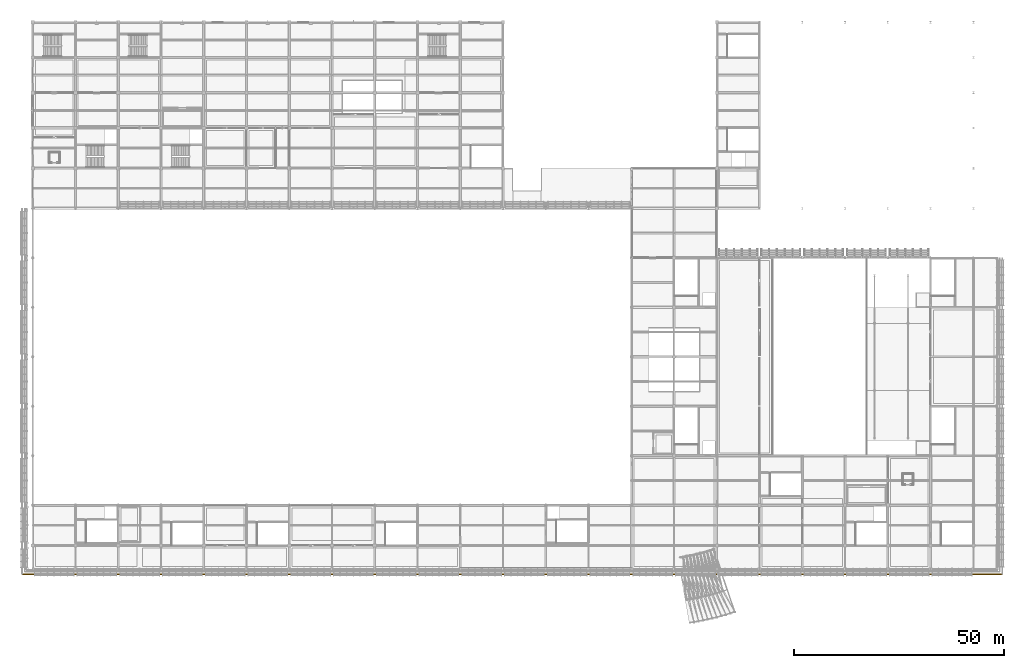
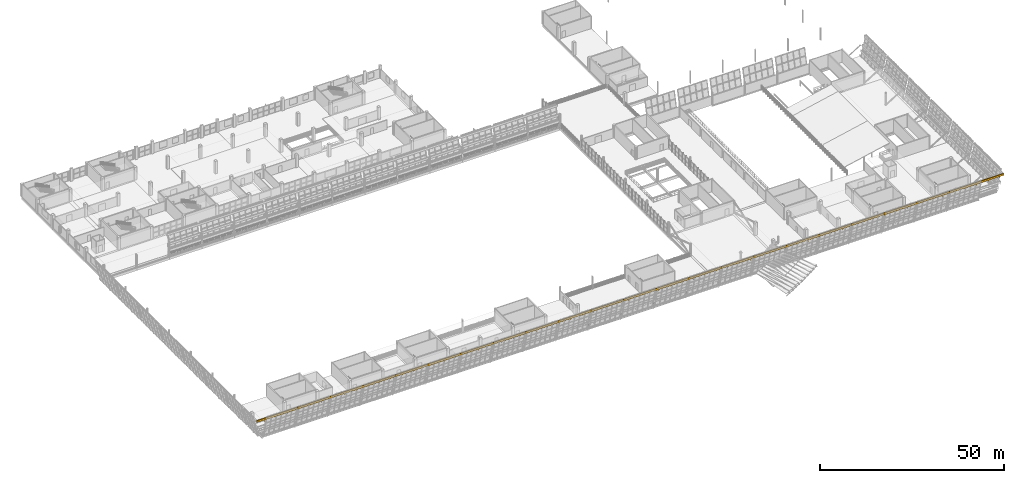
# One storey, part 145 of 157: 1 railing.
"""IFC4 building model written with IfcOpenShell, lengths in metres."""

from ifc_helpers import new_model, si_unit, direction, frame, origin, origin_2d, place, context, subcontext, project, spatial, rectangle, circle, extrude, material, type_object, element, save


model = new_model("IFC4")

# Units and contexts
model_context = context("Model", 3, precision=1e-05, world=origin(), true_north=direction((0.0, 1.0)))
body_context = subcontext(model_context, "Body", "Model", "MODEL_VIEW")
ifc_project = project(units=[si_unit("LENGTHUNIT", "METRE"), si_unit("AREAUNIT", "SQUARE_METRE"), si_unit("VOLUMEUNIT", "CUBIC_METRE"), si_unit("PLANEANGLEUNIT", "RADIAN"), si_unit("MASSUNIT", "GRAM", prefix="KILO")], contexts=[model_context])

# Site, building, storey
site_placement = place(None, origin())
site = spatial("IfcSite", under=ifc_project, at=site_placement, CompositionType="ELEMENT")
building_placement = place(site_placement, origin())
building = spatial("IfcBuilding", under=site, at=building_placement, Name="Brelvane Convention Centre", CompositionType="ELEMENT")
storey_placement = place(building_placement, frame((0.0, 0.0, 10.800048828125)))
storey = spatial("IfcBuildingStorey", under=building, at=storey_placement, Name="L02", CompositionType="ELEMENT", Elevation=10.800048828125)

# Railing
ifc_material = material(Name="Steel E350 (350 MPa)", Category="steel")
railing_type = type_object("IfcRailingType", Name="Railing BL-CU-1", PredefinedType="BALUSTRADE", material=ifc_material)
railing_placement = place(storey_placement, frame((-2.547119140625, 12.29296875, 5.39990234375)))
element("IfcRailing", 1, at=railing_placement, inside=storey, type_object=railing_type, Name="Railing BL-CU-1 L02-cu_hull_s_6", PredefinedType="BALUSTRADE", context=body_context, shape_type="SweptSolid", body=[
    extrude(rectangle(XDim=0.280029296875, YDim=0.6201171875, at=origin_2d()), frame((0.0, 0.0, 0.81005859375), z_axis=(1.0, 0.0, 0.0), x_axis=(0.0, 1.0, 0.0)), (0.0, 0.0, 1.0), 233.85400390625),
    extrude(circle(Radius=0.02099609375, at=origin_2d()), origin(), (0.0, 0.0, 1.0), 1.072021484375),
    extrude(circle(Radius=0.02099609375, at=origin_2d()), frame((1.19921875, 0.0, 0.0)), (0.0, 0.0, 1.0), 1.072021484375),
    extrude(circle(Radius=0.02099609375, at=origin_2d()), frame((2.3984375, 0.0, 0.0)), (0.0, 0.0, 1.0), 1.072021484375),
    extrude(circle(Radius=0.02099609375, at=origin_2d()), frame((3.59765625, 0.0, 0.0)), (0.0, 0.0, 1.0), 1.072021484375),
    extrude(circle(Radius=0.02099609375, at=origin_2d()), frame((4.797119140625, 0.0, 0.0)), (0.0, 0.0, 1.0), 1.072021484375),
    extrude(circle(Radius=0.02099609375, at=origin_2d()), frame((5.996337890625, 0.0, 0.0)), (0.0, 0.0, 1.0), 1.072021484375),
    extrude(circle(Radius=0.02099609375, at=origin_2d()), frame((7.195556640625, 0.0, 0.0)), (0.0, 0.0, 1.0), 1.072021484375),
    extrude(circle(Radius=0.02099609375, at=origin_2d()), frame((8.394775390625, 0.0, 0.0)), (0.0, 0.0, 1.0), 1.072021484375),
    extrude(circle(Radius=0.02099609375, at=origin_2d()), frame((9.593994140625, 0.0, 0.0)), (0.0, 0.0, 1.0), 1.072021484375),
    extrude(circle(Radius=0.02099609375, at=origin_2d()), frame((10.793212890625, 0.0, 0.0)), (0.0, 0.0, 1.0), 1.072021484375),
    extrude(circle(Radius=0.02099609375, at=origin_2d()), frame((11.992431640625, 0.0, 0.0)), (0.0, 0.0, 1.0), 1.072021484375),
    extrude(circle(Radius=0.02099609375, at=origin_2d()), frame((13.191650390625, 0.0, 0.0)), (0.0, 0.0, 1.0), 1.072021484375),
    extrude(circle(Radius=0.02099609375, at=origin_2d()), frame((14.39111328125, 0.0, 0.0)), (0.0, 0.0, 1.0), 1.072021484375),
    extrude(circle(Radius=0.02099609375, at=origin_2d()), frame((15.59033203125, 0.0, 0.0)), (0.0, 0.0, 1.0), 1.072021484375),
    extrude(circle(Radius=0.02099609375, at=origin_2d()), frame((16.78955078125, 0.0, 0.0)), (0.0, 0.0, 1.0), 1.072021484375),
    extrude(circle(Radius=0.02099609375, at=origin_2d()), frame((17.98876953125, 0.0, 0.0)), (0.0, 0.0, 1.0), 1.072021484375),
    extrude(circle(Radius=0.02099609375, at=origin_2d()), frame((19.18798828125, 0.0, 0.0)), (0.0, 0.0, 1.0), 1.072021484375),
    extrude(circle(Radius=0.02099609375, at=origin_2d()), frame((20.38720703125, 0.0, 0.0)), (0.0, 0.0, 1.0), 1.072021484375),
    extrude(circle(Radius=0.02099609375, at=origin_2d()), frame((21.58642578125, 0.0, 0.0)), (0.0, 0.0, 1.0), 1.072021484375),
    extrude(circle(Radius=0.02099609375, at=origin_2d()), frame((22.785888671875, 0.0, 0.0)), (0.0, 0.0, 1.0), 1.072021484375),
    extrude(circle(Radius=0.02099609375, at=origin_2d()), frame((23.985107421875, 0.0, 0.0)), (0.0, 0.0, 1.0), 1.072021484375),
    extrude(circle(Radius=0.02099609375, at=origin_2d()), frame((25.184326171875, 0.0, 0.0)), (0.0, 0.0, 1.0), 1.072021484375),
    extrude(circle(Radius=0.02099609375, at=origin_2d()), frame((26.383544921875, 0.0, 0.0)), (0.0, 0.0, 1.0), 1.072021484375),
    extrude(circle(Radius=0.02099609375, at=origin_2d()), frame((27.582763671875, 0.0, 0.0)), (0.0, 0.0, 1.0), 1.072021484375),
    extrude(circle(Radius=0.02099609375, at=origin_2d()), frame((28.781982421875, 0.0, 0.0)), (0.0, 0.0, 1.0), 1.072021484375),
    extrude(circle(Radius=0.02099609375, at=origin_2d()), frame((29.981201171875, 0.0, 0.0)), (0.0, 0.0, 1.0), 1.072021484375),
    extrude(circle(Radius=0.02099609375, at=origin_2d()), frame((31.180419921875, 0.0, 0.0)), (0.0, 0.0, 1.0), 1.072021484375),
    extrude(circle(Radius=0.02099609375, at=origin_2d()), frame((32.3798828125, 0.0, 0.0)), (0.0, 0.0, 1.0), 1.072021484375),
    extrude(circle(Radius=0.02099609375, at=origin_2d()), frame((33.5791015625, 0.0, 0.0)), (0.0, 0.0, 1.0), 1.072021484375),
    extrude(circle(Radius=0.02099609375, at=origin_2d()), frame((34.7783203125, 0.0, 0.0)), (0.0, 0.0, 1.0), 1.072021484375),
    extrude(circle(Radius=0.02099609375, at=origin_2d()), frame((35.9775390625, 0.0, 0.0)), (0.0, 0.0, 1.0), 1.072021484375),
    extrude(circle(Radius=0.02099609375, at=origin_2d()), frame((37.1767578125, 0.0, 0.0)), (0.0, 0.0, 1.0), 1.072021484375),
    extrude(circle(Radius=0.02099609375, at=origin_2d()), frame((38.3759765625, 0.0, 0.0)), (0.0, 0.0, 1.0), 1.072021484375),
    extrude(circle(Radius=0.02099609375, at=origin_2d()), frame((39.5751953125, 0.0, 0.0)), (0.0, 0.0, 1.0), 1.072021484375),
    extrude(circle(Radius=0.02099609375, at=origin_2d()), frame((40.774658203125, 0.0, 0.0)), (0.0, 0.0, 1.0), 1.072021484375),
    extrude(circle(Radius=0.02099609375, at=origin_2d()), frame((41.973876953125, 0.0, 0.0)), (0.0, 0.0, 1.0), 1.072021484375),
    extrude(circle(Radius=0.02099609375, at=origin_2d()), frame((43.173095703125, 0.0, 0.0)), (0.0, 0.0, 1.0), 1.072021484375),
    extrude(circle(Radius=0.02099609375, at=origin_2d()), frame((44.372314453125, 0.0, 0.0)), (0.0, 0.0, 1.0), 1.072021484375),
    extrude(circle(Radius=0.02099609375, at=origin_2d()), frame((45.571533203125, 0.0, 0.0)), (0.0, 0.0, 1.0), 1.072021484375),
    extrude(circle(Radius=0.02099609375, at=origin_2d()), frame((46.770751953125, 0.0, 0.0)), (0.0, 0.0, 1.0), 1.072021484375),
    extrude(circle(Radius=0.02099609375, at=origin_2d()), frame((47.969970703125, 0.0, 0.0)), (0.0, 0.0, 1.0), 1.072021484375),
    extrude(circle(Radius=0.02099609375, at=origin_2d()), frame((49.169189453125, 0.0, 0.0)), (0.0, 0.0, 1.0), 1.072021484375),
    extrude(circle(Radius=0.02099609375, at=origin_2d()), frame((50.36865234375, 0.0, 0.0)), (0.0, 0.0, 1.0), 1.072021484375),
    extrude(circle(Radius=0.02099609375, at=origin_2d()), frame((51.56787109375, 0.0, 0.0)), (0.0, 0.0, 1.0), 1.072021484375),
    extrude(circle(Radius=0.02099609375, at=origin_2d()), frame((52.76708984375, 0.0, 0.0)), (0.0, 0.0, 1.0), 1.072021484375),
    extrude(circle(Radius=0.02099609375, at=origin_2d()), frame((53.96630859375, 0.0, 0.0)), (0.0, 0.0, 1.0), 1.072021484375),
    extrude(circle(Radius=0.02099609375, at=origin_2d()), frame((55.16552734375, 0.0, 0.0)), (0.0, 0.0, 1.0), 1.072021484375),
    extrude(circle(Radius=0.02099609375, at=origin_2d()), frame((56.36474609375, 0.0, 0.0)), (0.0, 0.0, 1.0), 1.072021484375),
    extrude(circle(Radius=0.02099609375, at=origin_2d()), frame((57.56396484375, 0.0, 0.0)), (0.0, 0.0, 1.0), 1.072021484375),
    extrude(circle(Radius=0.02099609375, at=origin_2d()), frame((58.763427734375, 0.0, 0.0)), (0.0, 0.0, 1.0), 1.072021484375),
    extrude(circle(Radius=0.02099609375, at=origin_2d()), frame((59.962646484375, 0.0, 0.0)), (0.0, 0.0, 1.0), 1.072021484375),
    extrude(circle(Radius=0.02099609375, at=origin_2d()), frame((61.161865234375, 0.0, 0.0)), (0.0, 0.0, 1.0), 1.072021484375),
    extrude(circle(Radius=0.02099609375, at=origin_2d()), frame((62.361083984375, 0.0, 0.0)), (0.0, 0.0, 1.0), 1.072021484375),
    extrude(circle(Radius=0.02099609375, at=origin_2d()), frame((63.560302734375, 0.0, 0.0)), (0.0, 0.0, 1.0), 1.072021484375),
    extrude(circle(Radius=0.02099609375, at=origin_2d()), frame((64.759521484375, 0.0, 0.0)), (0.0, 0.0, 1.0), 1.072021484375),
    extrude(circle(Radius=0.02099609375, at=origin_2d()), frame((65.958740234375, 0.0, 0.0)), (0.0, 0.0, 1.0), 1.072021484375),
    extrude(circle(Radius=0.02099609375, at=origin_2d()), frame((67.157958984375, 0.0, 0.0)), (0.0, 0.0, 1.0), 1.072021484375),
    extrude(circle(Radius=0.02099609375, at=origin_2d()), frame((68.357421875, 0.0, 0.0)), (0.0, 0.0, 1.0), 1.072021484375),
    extrude(circle(Radius=0.02099609375, at=origin_2d()), frame((69.556640625, 0.0, 0.0)), (0.0, 0.0, 1.0), 1.072021484375),
    extrude(circle(Radius=0.02099609375, at=origin_2d()), frame((70.755859375, 0.0, 0.0)), (0.0, 0.0, 1.0), 1.072021484375),
    extrude(circle(Radius=0.02099609375, at=origin_2d()), frame((71.955078125, 0.0, 0.0)), (0.0, 0.0, 1.0), 1.072021484375),
    extrude(circle(Radius=0.02099609375, at=origin_2d()), frame((73.154296875, 0.0, 0.0)), (0.0, 0.0, 1.0), 1.072021484375),
    extrude(circle(Radius=0.02099609375, at=origin_2d()), frame((74.353515625, 0.0, 0.0)), (0.0, 0.0, 1.0), 1.072021484375),
    extrude(circle(Radius=0.02099609375, at=origin_2d()), frame((75.552734375, 0.0, 0.0)), (0.0, 0.0, 1.0), 1.072021484375),
    extrude(circle(Radius=0.02099609375, at=origin_2d()), frame((76.752197265625, 0.0, 0.0)), (0.0, 0.0, 1.0), 1.072021484375),
    extrude(circle(Radius=0.02099609375, at=origin_2d()), frame((77.951416015625, 0.0, 0.0)), (0.0, 0.0, 1.0), 1.072021484375),
    extrude(circle(Radius=0.02099609375, at=origin_2d()), frame((79.150634765625, 0.0, 0.0)), (0.0, 0.0, 1.0), 1.072021484375),
    extrude(circle(Radius=0.02099609375, at=origin_2d()), frame((80.349853515625, 0.0, 0.0)), (0.0, 0.0, 1.0), 1.072021484375),
    extrude(circle(Radius=0.02099609375, at=origin_2d()), frame((81.549072265625, 0.0, 0.0)), (0.0, 0.0, 1.0), 1.072021484375),
    extrude(circle(Radius=0.02099609375, at=origin_2d()), frame((82.748291015625, 0.0, 0.0)), (0.0, 0.0, 1.0), 1.072021484375),
    extrude(circle(Radius=0.02099609375, at=origin_2d()), frame((83.947509765625, 0.0, 0.0)), (0.0, 0.0, 1.0), 1.072021484375),
    extrude(circle(Radius=0.02099609375, at=origin_2d()), frame((85.146728515625, 0.0, 0.0)), (0.0, 0.0, 1.0), 1.072021484375),
    extrude(circle(Radius=0.02099609375, at=origin_2d()), frame((86.34619140625, 0.0, 0.0)), (0.0, 0.0, 1.0), 1.072021484375),
    extrude(circle(Radius=0.02099609375, at=origin_2d()), frame((87.54541015625, 0.0, 0.0)), (0.0, 0.0, 1.0), 1.072021484375),
    extrude(circle(Radius=0.02099609375, at=origin_2d()), frame((88.74462890625, 0.0, 0.0)), (0.0, 0.0, 1.0), 1.072021484375),
    extrude(circle(Radius=0.02099609375, at=origin_2d()), frame((89.94384765625, 0.0, 0.0)), (0.0, 0.0, 1.0), 1.072021484375),
    extrude(circle(Radius=0.02099609375, at=origin_2d()), frame((91.14306640625, 0.0, 0.0)), (0.0, 0.0, 1.0), 1.072021484375),
    extrude(circle(Radius=0.02099609375, at=origin_2d()), frame((92.34228515625, 0.0, 0.0)), (0.0, 0.0, 1.0), 1.072021484375),
    extrude(circle(Radius=0.02099609375, at=origin_2d()), frame((93.54150390625, 0.0, 0.0)), (0.0, 0.0, 1.0), 1.072021484375),
    extrude(circle(Radius=0.02099609375, at=origin_2d()), frame((94.740966796875, 0.0, 0.0)), (0.0, 0.0, 1.0), 1.072021484375),
    extrude(circle(Radius=0.02099609375, at=origin_2d()), frame((95.940185546875, 0.0, 0.0)), (0.0, 0.0, 1.0), 1.072021484375),
    extrude(circle(Radius=0.02099609375, at=origin_2d()), frame((97.139404296875, 0.0, 0.0)), (0.0, 0.0, 1.0), 1.072021484375),
    extrude(circle(Radius=0.02099609375, at=origin_2d()), frame((98.338623046875, 0.0, 0.0)), (0.0, 0.0, 1.0), 1.072021484375),
    extrude(circle(Radius=0.02099609375, at=origin_2d()), frame((99.537841796875, 0.0, 0.0)), (0.0, 0.0, 1.0), 1.072021484375),
    extrude(circle(Radius=0.02099609375, at=origin_2d()), frame((100.737060546875, 0.0, 0.0)), (0.0, 0.0, 1.0), 1.072021484375),
    extrude(circle(Radius=0.02099609375, at=origin_2d()), frame((101.936279296875, 0.0, 0.0)), (0.0, 0.0, 1.0), 1.072021484375),
    extrude(circle(Radius=0.02099609375, at=origin_2d()), frame((103.135498046875, 0.0, 0.0)), (0.0, 0.0, 1.0), 1.072021484375),
    extrude(circle(Radius=0.02099609375, at=origin_2d()), frame((104.3349609375, 0.0, 0.0)), (0.0, 0.0, 1.0), 1.072021484375),
    extrude(circle(Radius=0.02099609375, at=origin_2d()), frame((105.5341796875, 0.0, 0.0)), (0.0, 0.0, 1.0), 1.072021484375),
    extrude(circle(Radius=0.02099609375, at=origin_2d()), frame((106.7333984375, 0.0, 0.0)), (0.0, 0.0, 1.0), 1.072021484375),
    extrude(circle(Radius=0.02099609375, at=origin_2d()), frame((107.9326171875, 0.0, 0.0)), (0.0, 0.0, 1.0), 1.072021484375),
    extrude(circle(Radius=0.02099609375, at=origin_2d()), frame((109.1318359375, 0.0, 0.0)), (0.0, 0.0, 1.0), 1.072021484375),
    extrude(circle(Radius=0.02099609375, at=origin_2d()), frame((110.3310546875, 0.0, 0.0)), (0.0, 0.0, 1.0), 1.072021484375),
    extrude(circle(Radius=0.02099609375, at=origin_2d()), frame((111.5302734375, 0.0, 0.0)), (0.0, 0.0, 1.0), 1.072021484375),
    extrude(circle(Radius=0.02099609375, at=origin_2d()), frame((112.729736328125, 0.0, 0.0)), (0.0, 0.0, 1.0), 1.072021484375),
    extrude(circle(Radius=0.02099609375, at=origin_2d()), frame((113.928955078125, 0.0, 0.0)), (0.0, 0.0, 1.0), 1.072021484375),
    extrude(circle(Radius=0.02099609375, at=origin_2d()), frame((115.128173828125, 0.0, 0.0)), (0.0, 0.0, 1.0), 1.072021484375),
    extrude(circle(Radius=0.02099609375, at=origin_2d()), frame((116.327392578125, 0.0, 0.0)), (0.0, 0.0, 1.0), 1.072021484375),
    extrude(circle(Radius=0.02099609375, at=origin_2d()), frame((117.526611328125, 0.0, 0.0)), (0.0, 0.0, 1.0), 1.072021484375),
    extrude(circle(Radius=0.02099609375, at=origin_2d()), frame((118.725830078125, 0.0, 0.0)), (0.0, 0.0, 1.0), 1.072021484375),
    extrude(circle(Radius=0.02099609375, at=origin_2d()), frame((119.925048828125, 0.0, 0.0)), (0.0, 0.0, 1.0), 1.072021484375),
    extrude(circle(Radius=0.02099609375, at=origin_2d()), frame((121.124267578125, 0.0, 0.0)), (0.0, 0.0, 1.0), 1.072021484375),
    extrude(circle(Radius=0.02099609375, at=origin_2d()), frame((122.32373046875, 0.0, 0.0)), (0.0, 0.0, 1.0), 1.072021484375),
    extrude(circle(Radius=0.02099609375, at=origin_2d()), frame((123.52294921875, 0.0, 0.0)), (0.0, 0.0, 1.0), 1.072021484375),
    extrude(circle(Radius=0.02099609375, at=origin_2d()), frame((124.72216796875, 0.0, 0.0)), (0.0, 0.0, 1.0), 1.072021484375),
    extrude(circle(Radius=0.02099609375, at=origin_2d()), frame((125.92138671875, 0.0, 0.0)), (0.0, 0.0, 1.0), 1.072021484375),
    extrude(circle(Radius=0.02099609375, at=origin_2d()), frame((127.12060546875, 0.0, 0.0)), (0.0, 0.0, 1.0), 1.072021484375),
    extrude(circle(Radius=0.02099609375, at=origin_2d()), frame((128.31982421875, 0.0, 0.0)), (0.0, 0.0, 1.0), 1.072021484375),
    extrude(circle(Radius=0.02099609375, at=origin_2d()), frame((129.51904296875, 0.0, 0.0)), (0.0, 0.0, 1.0), 1.072021484375),
    extrude(circle(Radius=0.02099609375, at=origin_2d()), frame((130.718505859375, 0.0, 0.0)), (0.0, 0.0, 1.0), 1.072021484375),
    extrude(circle(Radius=0.02099609375, at=origin_2d()), frame((131.917724609375, 0.0, 0.0)), (0.0, 0.0, 1.0), 1.072021484375),
    extrude(circle(Radius=0.02099609375, at=origin_2d()), frame((133.116943359375, 0.0, 0.0)), (0.0, 0.0, 1.0), 1.072021484375),
    extrude(circle(Radius=0.02099609375, at=origin_2d()), frame((134.316162109375, 0.0, 0.0)), (0.0, 0.0, 1.0), 1.072021484375),
    extrude(circle(Radius=0.02099609375, at=origin_2d()), frame((135.515380859375, 0.0, 0.0)), (0.0, 0.0, 1.0), 1.072021484375),
    extrude(circle(Radius=0.02099609375, at=origin_2d()), frame((136.714599609375, 0.0, 0.0)), (0.0, 0.0, 1.0), 1.072021484375),
    extrude(circle(Radius=0.02099609375, at=origin_2d()), frame((137.913818359375, 0.0, 0.0)), (0.0, 0.0, 1.0), 1.072021484375),
    extrude(circle(Radius=0.02099609375, at=origin_2d()), frame((139.113037109375, 0.0, 0.0)), (0.0, 0.0, 1.0), 1.072021484375),
    extrude(circle(Radius=0.02099609375, at=origin_2d()), frame((140.3125, 0.0, 0.0)), (0.0, 0.0, 1.0), 1.072021484375),
    extrude(circle(Radius=0.02099609375, at=origin_2d()), frame((141.51171875, 0.0, 0.0)), (0.0, 0.0, 1.0), 1.072021484375),
    extrude(circle(Radius=0.02099609375, at=origin_2d()), frame((142.7109375, 0.0, 0.0)), (0.0, 0.0, 1.0), 1.072021484375),
    extrude(circle(Radius=0.02099609375, at=origin_2d()), frame((143.91015625, 0.0, 0.0)), (0.0, 0.0, 1.0), 1.072021484375),
    extrude(circle(Radius=0.02099609375, at=origin_2d()), frame((145.109375, 0.0, 0.0)), (0.0, 0.0, 1.0), 1.072021484375),
    extrude(circle(Radius=0.02099609375, at=origin_2d()), frame((146.30859375, 0.0, 0.0)), (0.0, 0.0, 1.0), 1.072021484375),
    extrude(circle(Radius=0.02099609375, at=origin_2d()), frame((147.5078125, 0.0, 0.0)), (0.0, 0.0, 1.0), 1.072021484375),
    extrude(circle(Radius=0.02099609375, at=origin_2d()), frame((148.707275390625, 0.0, 0.0)), (0.0, 0.0, 1.0), 1.072021484375),
    extrude(circle(Radius=0.02099609375, at=origin_2d()), frame((149.906494140625, 0.0, 0.0)), (0.0, 0.0, 1.0), 1.072021484375),
    extrude(circle(Radius=0.02099609375, at=origin_2d()), frame((151.105712890625, 0.0, 0.0)), (0.0, 0.0, 1.0), 1.072021484375),
    extrude(circle(Radius=0.02099609375, at=origin_2d()), frame((152.304931640625, 0.0, 0.0)), (0.0, 0.0, 1.0), 1.072021484375),
    extrude(circle(Radius=0.02099609375, at=origin_2d()), frame((153.504150390625, 0.0, 0.0)), (0.0, 0.0, 1.0), 1.072021484375),
    extrude(circle(Radius=0.02099609375, at=origin_2d()), frame((154.703369140625, 0.0, 0.0)), (0.0, 0.0, 1.0), 1.072021484375),
    extrude(circle(Radius=0.02099609375, at=origin_2d()), frame((155.902587890625, 0.0, 0.0)), (0.0, 0.0, 1.0), 1.072021484375),
    extrude(circle(Radius=0.02099609375, at=origin_2d()), frame((157.101806640625, 0.0, 0.0)), (0.0, 0.0, 1.0), 1.072021484375),
    extrude(circle(Radius=0.02099609375, at=origin_2d()), frame((158.30126953125, 0.0, 0.0)), (0.0, 0.0, 1.0), 1.072021484375),
    extrude(circle(Radius=0.02099609375, at=origin_2d()), frame((159.50048828125, 0.0, 0.0)), (0.0, 0.0, 1.0), 1.072021484375),
    extrude(circle(Radius=0.02099609375, at=origin_2d()), frame((160.69970703125, 0.0, 0.0)), (0.0, 0.0, 1.0), 1.072021484375),
    extrude(circle(Radius=0.02099609375, at=origin_2d()), frame((161.89892578125, 0.0, 0.0)), (0.0, 0.0, 1.0), 1.072021484375),
    extrude(circle(Radius=0.02099609375, at=origin_2d()), frame((163.09814453125, 0.0, 0.0)), (0.0, 0.0, 1.0), 1.072021484375),
    extrude(circle(Radius=0.02099609375, at=origin_2d()), frame((164.29736328125, 0.0, 0.0)), (0.0, 0.0, 1.0), 1.072021484375),
    extrude(circle(Radius=0.02099609375, at=origin_2d()), frame((165.49658203125, 0.0, 0.0)), (0.0, 0.0, 1.0), 1.072021484375),
    extrude(circle(Radius=0.02099609375, at=origin_2d()), frame((166.696044921875, 0.0, 0.0)), (0.0, 0.0, 1.0), 1.072021484375),
    extrude(circle(Radius=0.02099609375, at=origin_2d()), frame((167.895263671875, 0.0, 0.0)), (0.0, 0.0, 1.0), 1.072021484375),
    extrude(circle(Radius=0.02099609375, at=origin_2d()), frame((169.094482421875, 0.0, 0.0)), (0.0, 0.0, 1.0), 1.072021484375),
    extrude(circle(Radius=0.02099609375, at=origin_2d()), frame((170.293701171875, 0.0, 0.0)), (0.0, 0.0, 1.0), 1.072021484375),
    extrude(circle(Radius=0.02099609375, at=origin_2d()), frame((171.492919921875, 0.0, 0.0)), (0.0, 0.0, 1.0), 1.072021484375),
    extrude(circle(Radius=0.02099609375, at=origin_2d()), frame((172.692138671875, 0.0, 0.0)), (0.0, 0.0, 1.0), 1.072021484375),
    extrude(circle(Radius=0.02099609375, at=origin_2d()), frame((173.891357421875, 0.0, 0.0)), (0.0, 0.0, 1.0), 1.072021484375),
    extrude(circle(Radius=0.02099609375, at=origin_2d()), frame((175.090576171875, 0.0, 0.0)), (0.0, 0.0, 1.0), 1.072021484375),
    extrude(circle(Radius=0.02099609375, at=origin_2d()), frame((176.2900390625, 0.0, 0.0)), (0.0, 0.0, 1.0), 1.072021484375),
    extrude(circle(Radius=0.02099609375, at=origin_2d()), frame((177.4892578125, 0.0, 0.0)), (0.0, 0.0, 1.0), 1.072021484375),
    extrude(circle(Radius=0.02099609375, at=origin_2d()), frame((178.6884765625, 0.0, 0.0)), (0.0, 0.0, 1.0), 1.072021484375),
    extrude(circle(Radius=0.02099609375, at=origin_2d()), frame((179.8876953125, 0.0, 0.0)), (0.0, 0.0, 1.0), 1.072021484375),
    extrude(circle(Radius=0.02099609375, at=origin_2d()), frame((181.0869140625, 0.0, 0.0)), (0.0, 0.0, 1.0), 1.072021484375),
    extrude(circle(Radius=0.02099609375, at=origin_2d()), frame((182.2861328125, 0.0, 0.0)), (0.0, 0.0, 1.0), 1.072021484375),
    extrude(circle(Radius=0.02099609375, at=origin_2d()), frame((183.4853515625, 0.0, 0.0)), (0.0, 0.0, 1.0), 1.072021484375),
    extrude(circle(Radius=0.02099609375, at=origin_2d()), frame((184.684814453125, 0.0, 0.0)), (0.0, 0.0, 1.0), 1.072021484375),
    extrude(circle(Radius=0.02099609375, at=origin_2d()), frame((185.884033203125, 0.0, 0.0)), (0.0, 0.0, 1.0), 1.072021484375),
    extrude(circle(Radius=0.02099609375, at=origin_2d()), frame((187.083251953125, 0.0, 0.0)), (0.0, 0.0, 1.0), 1.072021484375),
    extrude(circle(Radius=0.02099609375, at=origin_2d()), frame((188.282470703125, 0.0, 0.0)), (0.0, 0.0, 1.0), 1.072021484375),
    extrude(circle(Radius=0.02099609375, at=origin_2d()), frame((189.481689453125, 0.0, 0.0)), (0.0, 0.0, 1.0), 1.072021484375),
    extrude(circle(Radius=0.02099609375, at=origin_2d()), frame((190.680908203125, 0.0, 0.0)), (0.0, 0.0, 1.0), 1.072021484375),
    extrude(circle(Radius=0.02099609375, at=origin_2d()), frame((191.880126953125, 0.0, 0.0)), (0.0, 0.0, 1.0), 1.072021484375),
    extrude(circle(Radius=0.02099609375, at=origin_2d()), frame((193.079345703125, 0.0, 0.0)), (0.0, 0.0, 1.0), 1.072021484375),
    extrude(circle(Radius=0.02099609375, at=origin_2d()), frame((194.27880859375, 0.0, 0.0)), (0.0, 0.0, 1.0), 1.072021484375),
    extrude(circle(Radius=0.02099609375, at=origin_2d()), frame((195.47802734375, 0.0, 0.0)), (0.0, 0.0, 1.0), 1.072021484375),
    extrude(circle(Radius=0.02099609375, at=origin_2d()), frame((196.67724609375, 0.0, 0.0)), (0.0, 0.0, 1.0), 1.072021484375),
    extrude(circle(Radius=0.02099609375, at=origin_2d()), frame((197.87646484375, 0.0, 0.0)), (0.0, 0.0, 1.0), 1.072021484375),
    extrude(circle(Radius=0.02099609375, at=origin_2d()), frame((199.07568359375, 0.0, 0.0)), (0.0, 0.0, 1.0), 1.072021484375),
    extrude(circle(Radius=0.02099609375, at=origin_2d()), frame((200.27490234375, 0.0, 0.0)), (0.0, 0.0, 1.0), 1.072021484375),
    extrude(circle(Radius=0.02099609375, at=origin_2d()), frame((201.47412109375, 0.0, 0.0)), (0.0, 0.0, 1.0), 1.072021484375),
    extrude(circle(Radius=0.02099609375, at=origin_2d()), frame((202.673583984375, 0.0, 0.0)), (0.0, 0.0, 1.0), 1.072021484375),
    extrude(circle(Radius=0.02099609375, at=origin_2d()), frame((203.872802734375, 0.0, 0.0)), (0.0, 0.0, 1.0), 1.072021484375),
    extrude(circle(Radius=0.02099609375, at=origin_2d()), frame((205.072021484375, 0.0, 0.0)), (0.0, 0.0, 1.0), 1.072021484375),
    extrude(circle(Radius=0.02099609375, at=origin_2d()), frame((206.271240234375, 0.0, 0.0)), (0.0, 0.0, 1.0), 1.072021484375),
    extrude(circle(Radius=0.02099609375, at=origin_2d()), frame((207.470458984375, 0.0, 0.0)), (0.0, 0.0, 1.0), 1.072021484375),
    extrude(circle(Radius=0.02099609375, at=origin_2d()), frame((208.669677734375, 0.0, 0.0)), (0.0, 0.0, 1.0), 1.072021484375),
    extrude(circle(Radius=0.02099609375, at=origin_2d()), frame((209.868896484375, 0.0, 0.0)), (0.0, 0.0, 1.0), 1.072021484375),
    extrude(circle(Radius=0.02099609375, at=origin_2d()), frame((211.068115234375, 0.0, 0.0)), (0.0, 0.0, 1.0), 1.072021484375),
    extrude(circle(Radius=0.02099609375, at=origin_2d()), frame((212.267578125, 0.0, 0.0)), (0.0, 0.0, 1.0), 1.072021484375),
    extrude(circle(Radius=0.02099609375, at=origin_2d()), frame((213.466796875, 0.0, 0.0)), (0.0, 0.0, 1.0), 1.072021484375),
    extrude(circle(Radius=0.02099609375, at=origin_2d()), frame((214.666015625, 0.0, 0.0)), (0.0, 0.0, 1.0), 1.072021484375),
    extrude(circle(Radius=0.02099609375, at=origin_2d()), frame((215.865234375, 0.0, 0.0)), (0.0, 0.0, 1.0), 1.072021484375),
    extrude(circle(Radius=0.02099609375, at=origin_2d()), frame((217.064453125, 0.0, 0.0)), (0.0, 0.0, 1.0), 1.072021484375),
    extrude(circle(Radius=0.02099609375, at=origin_2d()), frame((218.263671875, 0.0, 0.0)), (0.0, 0.0, 1.0), 1.072021484375),
    extrude(circle(Radius=0.02099609375, at=origin_2d()), frame((219.462890625, 0.0, 0.0)), (0.0, 0.0, 1.0), 1.072021484375),
    extrude(circle(Radius=0.02099609375, at=origin_2d()), frame((220.662353515625, 0.0, 0.0)), (0.0, 0.0, 1.0), 1.072021484375),
    extrude(circle(Radius=0.02099609375, at=origin_2d()), frame((221.861572265625, 0.0, 0.0)), (0.0, 0.0, 1.0), 1.072021484375),
    extrude(circle(Radius=0.02099609375, at=origin_2d()), frame((223.060791015625, 0.0, 0.0)), (0.0, 0.0, 1.0), 1.072021484375),
    extrude(circle(Radius=0.02099609375, at=origin_2d()), frame((224.260009765625, 0.0, 0.0)), (0.0, 0.0, 1.0), 1.072021484375),
    extrude(circle(Radius=0.02099609375, at=origin_2d()), frame((225.459228515625, 0.0, 0.0)), (0.0, 0.0, 1.0), 1.072021484375),
    extrude(circle(Radius=0.02099609375, at=origin_2d()), frame((226.658447265625, 0.0, 0.0)), (0.0, 0.0, 1.0), 1.072021484375),
    extrude(circle(Radius=0.02099609375, at=origin_2d()), frame((227.857666015625, 0.0, 0.0)), (0.0, 0.0, 1.0), 1.072021484375),
    extrude(circle(Radius=0.02099609375, at=origin_2d()), frame((229.056884765625, 0.0, 0.0)), (0.0, 0.0, 1.0), 1.072021484375),
    extrude(circle(Radius=0.02099609375, at=origin_2d()), frame((230.25634765625, 0.0, 0.0)), (0.0, 0.0, 1.0), 1.072021484375),
    extrude(circle(Radius=0.02099609375, at=origin_2d()), frame((231.45556640625, 0.0, 0.0)), (0.0, 0.0, 1.0), 1.072021484375),
    extrude(circle(Radius=0.02099609375, at=origin_2d()), frame((232.65478515625, 0.0, 0.0)), (0.0, 0.0, 1.0), 1.072021484375),
    extrude(circle(Radius=0.02099609375, at=origin_2d()), frame((233.85400390625, 0.0, 0.0)), (0.0, 0.0, 1.0), 1.072021484375),
])

save(model, "model.ifc")
